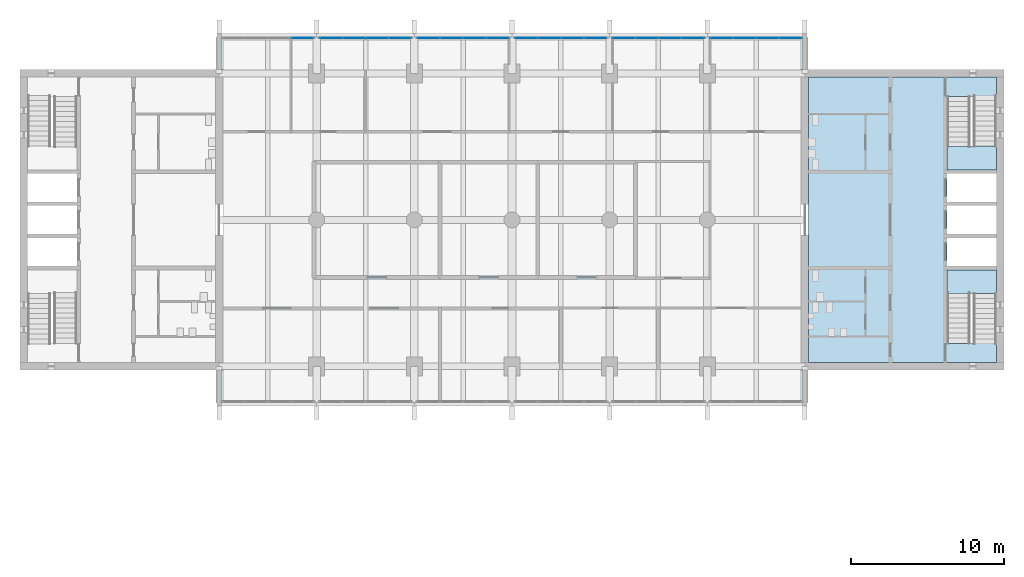
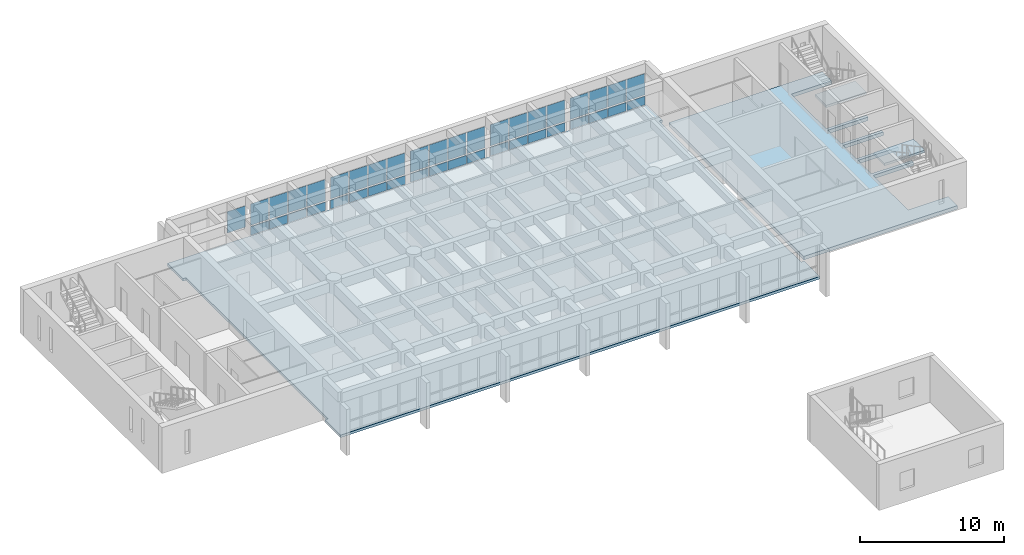
# One storey, part 8 of 19: 41 plates, 4 slabs, 8 elements without a shape of their own.
"""IFC4 building model written with IfcOpenShell, lengths in metres."""

from ifc_helpers import new_model, si_unit, direction, frame, origin, origin_2d, place, context, subcontext, project, spatial, polyline, rectangle, outline, extrude, material, layer, layer_set, type_object, element, aggregate, save


model = new_model("IFC4")

# Units and contexts
model_context = context("Model", 3, precision=1e-05, world=origin(), true_north=direction((0.0, 1.0)))
body_context = subcontext(model_context, "Body", "Model", "MODEL_VIEW")
ifc_project = project(units=[si_unit("LENGTHUNIT", "METRE"), si_unit("AREAUNIT", "SQUARE_METRE"), si_unit("VOLUMEUNIT", "CUBIC_METRE"), si_unit("PLANEANGLEUNIT", "RADIAN"), si_unit("MASSUNIT", "GRAM", prefix="KILO")], contexts=[model_context])

# Site, building, storey
site_placement = place(None, origin())
site = spatial("IfcSite", under=ifc_project, at=site_placement, CompositionType="ELEMENT")
building_placement = place(site_placement, origin())
building = spatial("IfcBuilding", under=site, at=building_placement, Name="Fogon Plaza Fire Station and Headquarters Tower", CompositionType="ELEMENT")
storey_placement = place(building_placement, frame((0.0, 0.0, 21.0)))
storey = spatial("IfcBuildingStorey", under=building, at=storey_placement, Name="L05", CompositionType="ELEMENT", Elevation=21.0)

# Slabs
ifc_material_1 = material(Name="Concrete C40", Category="concrete")
ifc_layer_1 = layer(ifc_material_1, 0.300048828125)
ifc_layer_set_1 = layer_set([ifc_layer_1], Name="Concrete C40")
slab_type_1 = type_object("IfcSlabType", Name="Core Floor Slab RC 300", PredefinedType="FLOOR", material=ifc_layer_set_1)
slab_1_placement = place(storey_placement, frame((0.0, 0.0, -0.300048828125)))
element("IfcSlab", 1, at=slab_1_placement, inside=storey, type_object=slab_type_1, Name="Core B floor", PredefinedType="FLOOR", context=body_context, shape_type="SweptSolid", body=[
    extrude(outline(polyline([(76.550048828125, 35.110107421875), (73.324951171875, 35.110107421875), (73.324951171875, 39.925048828125), (76.550048828125, 39.925048828125), (76.550048828125, 40.175048828125), (73.324951171875, 40.175048828125), (73.324951171875, 42.02490234375), (76.550048828125, 42.02490234375), (76.550048828125, 42.27490234375), (73.324951171875, 42.27490234375), (73.324951171875, 44.125), (76.550048828125, 44.125), (76.550048828125, 44.375), (73.324951171875, 44.375), (73.324951171875, 46.22509765625), (76.550048828125, 46.22509765625), (76.550048828125, 46.47509765625), (73.324951171875, 46.47509765625), (73.324951171875, 51.2900390625), (76.550048828125, 51.2900390625), (76.550048828125, 52.550048828125), (64.25, 52.550048828125), (64.25, 33.85009765625), (76.550048828125, 33.85009765625), (76.550048828125, 35.110107421875)])), origin(), (0.0, 0.0, 1.0), 0.300048828125),
])
ifc_material_2 = material(Name="Concrete C40", Category="concrete")
ifc_layer_2 = layer(ifc_material_2, 0.219970703125)
ifc_layer_set_2 = layer_set([ifc_layer_2], Name="Concrete C40")
slab_type_2 = type_object("IfcSlabType", Name="Floor slab 220 S22", PredefinedType="FLOOR", material=ifc_layer_set_2)
slab_2_placement = place(storey_placement, frame((0.0, 0.0, -0.219970703125)))
element("IfcSlab", 2, at=slab_2_placement, inside=storey, type_object=slab_type_2, Name="slab-L05-bar", PredefinedType="FLOOR", context=body_context, shape_type="SweptSolid", body=[
    extrude(outline(polyline([(64.0, 31.199951171875), (25.60009765625, 31.199951171875), (25.60009765625, 33.35009765625), (25.85009765625, 33.35009765625), (25.85009765625, 53.050048828125), (25.60009765625, 53.050048828125), (25.60009765625, 55.199951171875), (64.0, 55.199951171875), (64.0, 53.050048828125), (63.75, 53.050048828125), (63.75, 33.35009765625), (64.0, 33.35009765625), (64.0, 31.199951171875)])), origin(), (0.0, 0.0, 1.0), 0.219970703125),
])

# Curtain wall, plates
ifc_material_3 = material(Name="Aluminium and glass", Category="aluminium")
ifc_layer_3 = layer(ifc_material_3, 0.14990234375)
ifc_layer_set_3 = layer_set([ifc_layer_3], Name="Aluminium and glass")
curtain_wall_type = type_object("IfcCurtainWallType", Name="Unitised Curtain Wall Run 6100x2880", PredefinedType="NOTDEFINED", material=ifc_layer_set_3)
curtain_wall_1_placement = place(storey_placement, origin())
curtain_wall_1 = element("IfcCurtainWall", 3, at=curtain_wall_1_placement, inside=storey, type_object=curtain_wall_type, Name="CW-6100x2880 N2 L05", PredefinedType="NOTDEFINED")
ifc_material_4 = material(Name="Insulated aluminium spandrel", Category="aluminium")
ifc_layer_4 = layer(ifc_material_4, 0.06005859375)
ifc_layer_set_4 = layer_set([ifc_layer_4], Name="Insulated aluminium spandrel")
plate_type_1 = type_object("IfcPlateType", Name="Insulated Spandrel Panel", PredefinedType="CURTAIN_PANEL", material=ifc_layer_set_4)
plate_1_placement = place(storey_placement, frame((32.93505859375, 55.1201171875, 0.1201171875), z_axis=(0.0, 0.0, 1.0), x_axis=(1.0, 0.0, 0.0)))
plate_1 = element("IfcPlate", 4, at=plate_1_placement, type_object=plate_type_1, Name="SP1 panel 1.1", PredefinedType="CURTAIN_PANEL", context=body_context, shape_type="SweptSolid", body=[
    extrude(rectangle(XDim=1.449951171875, YDim=0.06005859375, at=origin_2d()), origin(), (0.0, 0.0, 1.0), 0.719970703125),
])
plate_2_placement = place(storey_placement, frame((34.445068359375, 55.1201171875, 0.1201171875), z_axis=(0.0, 0.0, 1.0), x_axis=(1.0, 0.0, 0.0)))
plate_2 = element("IfcPlate", 5, at=plate_2_placement, type_object=plate_type_1, Name="SP1 panel 2.1", PredefinedType="CURTAIN_PANEL", context=body_context, shape_type="SweptSolid", body=[
    extrude(rectangle(XDim=1.449951171875, YDim=0.06005859375, at=origin_2d()), origin(), (0.0, 0.0, 1.0), 0.719970703125),
])
plate_3_placement = place(storey_placement, frame((35.955078125, 55.1201171875, 0.1201171875), z_axis=(0.0, 0.0, 1.0), x_axis=(1.0, 0.0, 0.0)))
plate_3 = element("IfcPlate", 6, at=plate_3_placement, type_object=plate_type_1, Name="SP1 panel 3.1", PredefinedType="CURTAIN_PANEL", context=body_context, shape_type="SweptSolid", body=[
    extrude(rectangle(XDim=1.449951171875, YDim=0.06005859375, at=origin_2d()), origin(), (0.0, 0.0, 1.0), 0.719970703125),
])
plate_4_placement = place(storey_placement, frame((37.465087890625, 55.1201171875, 0.1201171875), z_axis=(0.0, 0.0, 1.0), x_axis=(1.0, 0.0, 0.0)))
plate_4 = element("IfcPlate", 7, at=plate_4_placement, type_object=plate_type_1, Name="SP1 panel 4.1", PredefinedType="CURTAIN_PANEL", context=body_context, shape_type="SweptSolid", body=[
    extrude(rectangle(XDim=1.449951171875, YDim=0.06005859375, at=origin_2d()), origin(), (0.0, 0.0, 1.0), 0.719970703125),
])

curtain_wall_2_placement = place(storey_placement, origin())
curtain_wall_2 = element("IfcCurtainWall", 8, at=curtain_wall_2_placement, inside=storey, type_object=curtain_wall_type, Name="CW-6100x2880 N3 L05", PredefinedType="NOTDEFINED")
plate_5_placement = place(storey_placement, frame((39.3349609375, 55.1201171875, 0.1201171875), z_axis=(0.0, 0.0, 1.0), x_axis=(1.0, 0.0, 0.0)))
plate_5 = element("IfcPlate", 9, at=plate_5_placement, type_object=plate_type_1, Name="SP1 panel 1.1", PredefinedType="CURTAIN_PANEL", context=body_context, shape_type="SweptSolid", body=[
    extrude(rectangle(XDim=1.449951171875, YDim=0.06005859375, at=origin_2d()), origin(), (0.0, 0.0, 1.0), 0.719970703125),
])
plate_6_placement = place(storey_placement, frame((40.844970703125, 55.1201171875, 0.1201171875), z_axis=(0.0, 0.0, 1.0), x_axis=(1.0, 0.0, 0.0)))
plate_6 = element("IfcPlate", 10, at=plate_6_placement, type_object=plate_type_1, Name="SP1 panel 2.1", PredefinedType="CURTAIN_PANEL", context=body_context, shape_type="SweptSolid", body=[
    extrude(rectangle(XDim=1.449951171875, YDim=0.06005859375, at=origin_2d()), origin(), (0.0, 0.0, 1.0), 0.719970703125),
])
plate_7_placement = place(storey_placement, frame((42.35498046875, 55.1201171875, 0.1201171875), z_axis=(0.0, 0.0, 1.0), x_axis=(1.0, 0.0, 0.0)))
plate_7 = element("IfcPlate", 11, at=plate_7_placement, type_object=plate_type_1, Name="SP1 panel 3.1", PredefinedType="CURTAIN_PANEL", context=body_context, shape_type="SweptSolid", body=[
    extrude(rectangle(XDim=1.449951171875, YDim=0.06005859375, at=origin_2d()), origin(), (0.0, 0.0, 1.0), 0.719970703125),
])
plate_8_placement = place(storey_placement, frame((43.864990234375, 55.1201171875, 0.1201171875), z_axis=(0.0, 0.0, 1.0), x_axis=(1.0, 0.0, 0.0)))
plate_8 = element("IfcPlate", 12, at=plate_8_placement, type_object=plate_type_1, Name="SP1 panel 4.1", PredefinedType="CURTAIN_PANEL", context=body_context, shape_type="SweptSolid", body=[
    extrude(rectangle(XDim=1.449951171875, YDim=0.06005859375, at=origin_2d()), origin(), (0.0, 0.0, 1.0), 0.719970703125),
])

curtain_wall_3_placement = place(storey_placement, origin())
curtain_wall_3 = element("IfcCurtainWall", 13, at=curtain_wall_3_placement, inside=storey, type_object=curtain_wall_type, Name="CW-6100x2880 N4 L05", PredefinedType="NOTDEFINED")
plate_9_placement = place(storey_placement, frame((45.735107421875, 55.1201171875, 0.1201171875), z_axis=(0.0, 0.0, 1.0), x_axis=(1.0, 0.0, 0.0)))
plate_9 = element("IfcPlate", 14, at=plate_9_placement, type_object=plate_type_1, Name="SP1 panel 1.1", PredefinedType="CURTAIN_PANEL", context=body_context, shape_type="SweptSolid", body=[
    extrude(rectangle(XDim=1.449951171875, YDim=0.06005859375, at=origin_2d()), origin(), (0.0, 0.0, 1.0), 0.719970703125),
])
plate_10_placement = place(storey_placement, frame((47.2451171875, 55.1201171875, 0.1201171875), z_axis=(0.0, 0.0, 1.0), x_axis=(1.0, 0.0, 0.0)))
plate_10 = element("IfcPlate", 15, at=plate_10_placement, type_object=plate_type_1, Name="SP1 panel 2.1", PredefinedType="CURTAIN_PANEL", context=body_context, shape_type="SweptSolid", body=[
    extrude(rectangle(XDim=1.449951171875, YDim=0.06005859375, at=origin_2d()), origin(), (0.0, 0.0, 1.0), 0.719970703125),
])
plate_11_placement = place(storey_placement, frame((48.7548828125, 55.1201171875, 0.1201171875), z_axis=(0.0, 0.0, 1.0), x_axis=(1.0, 0.0, 0.0)))
plate_11 = element("IfcPlate", 16, at=plate_11_placement, type_object=plate_type_1, Name="SP1 panel 3.1", PredefinedType="CURTAIN_PANEL", context=body_context, shape_type="SweptSolid", body=[
    extrude(rectangle(XDim=1.449951171875, YDim=0.06005859375, at=origin_2d()), origin(), (0.0, 0.0, 1.0), 0.719970703125),
])
plate_12_placement = place(storey_placement, frame((50.264892578125, 55.1201171875, 0.1201171875), z_axis=(0.0, 0.0, 1.0), x_axis=(1.0, 0.0, 0.0)))
plate_12 = element("IfcPlate", 17, at=plate_12_placement, type_object=plate_type_1, Name="SP1 panel 4.1", PredefinedType="CURTAIN_PANEL", context=body_context, shape_type="SweptSolid", body=[
    extrude(rectangle(XDim=1.449951171875, YDim=0.06005859375, at=origin_2d()), origin(), (0.0, 0.0, 1.0), 0.719970703125),
])

curtain_wall_4_placement = place(storey_placement, origin())
curtain_wall_4 = element("IfcCurtainWall", 18, at=curtain_wall_4_placement, inside=storey, type_object=curtain_wall_type, Name="CW-6100x2880 N5 L05", PredefinedType="NOTDEFINED")
plate_13_placement = place(storey_placement, frame((52.135009765625, 55.1201171875, 0.1201171875), z_axis=(0.0, 0.0, 1.0), x_axis=(1.0, 0.0, 0.0)))
plate_13 = element("IfcPlate", 19, at=plate_13_placement, type_object=plate_type_1, Name="SP1 panel 1.1", PredefinedType="CURTAIN_PANEL", context=body_context, shape_type="SweptSolid", body=[
    extrude(rectangle(XDim=1.449951171875, YDim=0.06005859375, at=origin_2d()), origin(), (0.0, 0.0, 1.0), 0.719970703125),
])
plate_14_placement = place(storey_placement, frame((53.64501953125, 55.1201171875, 0.1201171875), z_axis=(0.0, 0.0, 1.0), x_axis=(1.0, 0.0, 0.0)))
plate_14 = element("IfcPlate", 20, at=plate_14_placement, type_object=plate_type_1, Name="SP1 panel 2.1", PredefinedType="CURTAIN_PANEL", context=body_context, shape_type="SweptSolid", body=[
    extrude(rectangle(XDim=1.449951171875, YDim=0.06005859375, at=origin_2d()), origin(), (0.0, 0.0, 1.0), 0.719970703125),
])
plate_15_placement = place(storey_placement, frame((55.155029296875, 55.1201171875, 0.1201171875), z_axis=(0.0, 0.0, 1.0), x_axis=(1.0, 0.0, 0.0)))
plate_15 = element("IfcPlate", 21, at=plate_15_placement, type_object=plate_type_1, Name="SP1 panel 3.1", PredefinedType="CURTAIN_PANEL", context=body_context, shape_type="SweptSolid", body=[
    extrude(rectangle(XDim=1.449951171875, YDim=0.06005859375, at=origin_2d()), origin(), (0.0, 0.0, 1.0), 0.719970703125),
])
plate_16_placement = place(storey_placement, frame((56.6650390625, 55.1201171875, 0.1201171875), z_axis=(0.0, 0.0, 1.0), x_axis=(1.0, 0.0, 0.0)))
plate_16 = element("IfcPlate", 22, at=plate_16_placement, type_object=plate_type_1, Name="SP1 panel 4.1", PredefinedType="CURTAIN_PANEL", context=body_context, shape_type="SweptSolid", body=[
    extrude(rectangle(XDim=1.449951171875, YDim=0.06005859375, at=origin_2d()), origin(), (0.0, 0.0, 1.0), 0.719970703125),
])

curtain_wall_5_placement = place(storey_placement, origin())
curtain_wall_5 = element("IfcCurtainWall", 23, at=curtain_wall_5_placement, inside=storey, type_object=curtain_wall_type, Name="CW-6100x2880 N6 L05", PredefinedType="NOTDEFINED")
plate_17_placement = place(storey_placement, frame((58.534912109375, 55.1201171875, 0.1201171875), z_axis=(0.0, 0.0, 1.0), x_axis=(1.0, 0.0, 0.0)))
plate_17 = element("IfcPlate", 24, at=plate_17_placement, type_object=plate_type_1, Name="SP1 panel 1.1", PredefinedType="CURTAIN_PANEL", context=body_context, shape_type="SweptSolid", body=[
    extrude(rectangle(XDim=1.449951171875, YDim=0.06005859375, at=origin_2d()), origin(), (0.0, 0.0, 1.0), 0.719970703125),
])
plate_18_placement = place(storey_placement, frame((60.044921875, 55.1201171875, 0.1201171875), z_axis=(0.0, 0.0, 1.0), x_axis=(1.0, 0.0, 0.0)))
plate_18 = element("IfcPlate", 25, at=plate_18_placement, type_object=plate_type_1, Name="SP1 panel 2.1", PredefinedType="CURTAIN_PANEL", context=body_context, shape_type="SweptSolid", body=[
    extrude(rectangle(XDim=1.449951171875, YDim=0.06005859375, at=origin_2d()), origin(), (0.0, 0.0, 1.0), 0.719970703125),
])
plate_19_placement = place(storey_placement, frame((61.554931640625, 55.1201171875, 0.1201171875), z_axis=(0.0, 0.0, 1.0), x_axis=(1.0, 0.0, 0.0)))
plate_19 = element("IfcPlate", 26, at=plate_19_placement, type_object=plate_type_1, Name="SP1 panel 3.1", PredefinedType="CURTAIN_PANEL", context=body_context, shape_type="SweptSolid", body=[
    extrude(rectangle(XDim=1.449951171875, YDim=0.06005859375, at=origin_2d()), origin(), (0.0, 0.0, 1.0), 0.719970703125),
])
plate_20_placement = place(storey_placement, frame((63.06494140625, 55.1201171875, 0.1201171875), z_axis=(0.0, 0.0, 1.0), x_axis=(1.0, 0.0, 0.0)))
plate_20 = element("IfcPlate", 27, at=plate_20_placement, type_object=plate_type_1, Name="SP1 panel 4.1", PredefinedType="CURTAIN_PANEL", context=body_context, shape_type="SweptSolid", body=[
    extrude(rectangle(XDim=1.449951171875, YDim=0.06005859375, at=origin_2d()), origin(), (0.0, 0.0, 1.0), 0.719970703125),
])

# Stair, slab
ifc_material_5 = material(Name="Concrete C40", Category="concrete")
stair_type = type_object("IfcStairType", Name="Exit Stair Two Flights", PredefinedType="TWO_STRAIGHT_RUN_STAIR", material=ifc_material_5)
stair_1_placement = place(storey_placement, origin())
stair_1 = element("IfcStair", 28, at=stair_1_placement, inside=storey, type_object=stair_type, Name="Stair ST3", PredefinedType="TWO_STRAIGHT_RUN_STAIR")
ifc_material_6 = material(Name="Concrete C40", Category="concrete")
ifc_layer_5 = layer(ifc_material_6, 0.300048828125)
ifc_layer_set_5 = layer_set([ifc_layer_5], Name="Concrete C40")
slab_type_3 = type_object("IfcSlabType", Name="Stair Landing RC 300", PredefinedType="LANDING", material=ifc_layer_set_5)
slab_3_placement = place(storey_placement, frame((0.0, 0.0, 1.75)))
slab_3 = element("IfcSlab", 29, at=slab_3_placement, type_object=slab_type_3, Name="ST3 landing L07", PredefinedType="LANDING", context=body_context, shape_type="SweptSolid", body=[
    extrude(outline(polyline([(73.324951171875, 38.375), (76.550048828125, 38.375), (76.550048828125, 39.925048828125), (73.324951171875, 39.925048828125), (73.324951171875, 38.375)])), origin(), (0.0, 0.0, 1.0), 0.199951171875),
])
aggregate(stair_1, [slab_3])

stair_2_placement = place(storey_placement, origin())
stair_2 = element("IfcStair", 30, at=stair_2_placement, inside=storey, type_object=stair_type, Name="Stair ST4", PredefinedType="TWO_STRAIGHT_RUN_STAIR")
slab_4_placement = place(storey_placement, frame((0.0, 0.0, 1.75)))
slab_4 = element("IfcSlab", 31, at=slab_4_placement, type_object=slab_type_3, Name="ST4 landing L07", PredefinedType="LANDING", context=body_context, shape_type="SweptSolid", body=[
    extrude(outline(polyline([(73.324951171875, 46.47509765625), (76.550048828125, 46.47509765625), (76.550048828125, 48.02490234375), (73.324951171875, 48.02490234375), (73.324951171875, 46.47509765625)])), origin(), (0.0, 0.0, 1.0), 0.199951171875),
])
aggregate(stair_2, [slab_4])

# Curtain wall, plate
curtain_wall_6_placement = place(storey_placement, origin())
curtain_wall_6 = element("IfcCurtainWall", 32, at=curtain_wall_6_placement, inside=storey, type_object=curtain_wall_type, Name="CW-6100x2880 N1 L05", PredefinedType="NOTDEFINED")
ifc_material_7 = material(Name="Low-e double glazing", Category="glass")
ifc_layer_6 = layer(ifc_material_7, 0.028076171875)
ifc_layer_set_6 = layer_set([ifc_layer_6], Name="Low-e double glazing")
plate_type_2 = type_object("IfcPlateType", Name="Vision Glass Panel 1450x1800", PredefinedType="CURTAIN_PANEL", material=ifc_layer_set_6)
plate_21_placement = place(storey_placement, frame((31.06494140625, 55.1201171875, 0.9599609375), z_axis=(0.0, 0.0, 1.0), x_axis=(1.0, 0.0, 0.0)))
plate_21 = element("IfcPlate", 33, at=plate_21_placement, type_object=plate_type_2, Name="VG-1450x1800 panel 4.2", PredefinedType="CURTAIN_PANEL", context=body_context, shape_type="SweptSolid", body=[
    extrude(rectangle(XDim=1.449951171875, YDim=0.028076171875, at=origin_2d()), origin(), (0.0, 0.0, 1.0), 1.800048828125),
])
aggregate(curtain_wall_6, [plate_21])

# Plate
plate_22_placement = place(storey_placement, frame((32.93505859375, 55.1201171875, 0.9599609375), z_axis=(0.0, 0.0, 1.0), x_axis=(1.0, 0.0, 0.0)))
plate_22 = element("IfcPlate", 34, at=plate_22_placement, type_object=plate_type_2, Name="VG-1450x1800 panel 1.2", PredefinedType="CURTAIN_PANEL", context=body_context, shape_type="SweptSolid", body=[
    extrude(rectangle(XDim=1.449951171875, YDim=0.028076171875, at=origin_2d()), origin(), (0.0, 0.0, 1.0), 1.800048828125),
])

plate_23_placement = place(storey_placement, frame((34.445068359375, 55.1201171875, 0.9599609375), z_axis=(0.0, 0.0, 1.0), x_axis=(1.0, 0.0, 0.0)))
plate_23 = element("IfcPlate", 35, at=plate_23_placement, type_object=plate_type_2, Name="VG-1450x1800 panel 2.2", PredefinedType="CURTAIN_PANEL", context=body_context, shape_type="SweptSolid", body=[
    extrude(rectangle(XDim=1.449951171875, YDim=0.028076171875, at=origin_2d()), origin(), (0.0, 0.0, 1.0), 1.800048828125),
])

plate_24_placement = place(storey_placement, frame((35.955078125, 55.1201171875, 0.9599609375), z_axis=(0.0, 0.0, 1.0), x_axis=(1.0, 0.0, 0.0)))
plate_24 = element("IfcPlate", 36, at=plate_24_placement, type_object=plate_type_2, Name="VG-1450x1800 panel 3.2", PredefinedType="CURTAIN_PANEL", context=body_context, shape_type="SweptSolid", body=[
    extrude(rectangle(XDim=1.449951171875, YDim=0.028076171875, at=origin_2d()), origin(), (0.0, 0.0, 1.0), 1.800048828125),
])

plate_25_placement = place(storey_placement, frame((37.465087890625, 55.1201171875, 0.9599609375), z_axis=(0.0, 0.0, 1.0), x_axis=(1.0, 0.0, 0.0)))
plate_25 = element("IfcPlate", 37, at=plate_25_placement, type_object=plate_type_2, Name="VG-1450x1800 panel 4.2", PredefinedType="CURTAIN_PANEL", context=body_context, shape_type="SweptSolid", body=[
    extrude(rectangle(XDim=1.449951171875, YDim=0.028076171875, at=origin_2d()), origin(), (0.0, 0.0, 1.0), 1.800048828125),
])

aggregate(curtain_wall_1, [plate_1, plate_22, plate_2, plate_23, plate_3, plate_24, plate_4, plate_25])

plate_26_placement = place(storey_placement, frame((39.3349609375, 55.1201171875, 0.9599609375), z_axis=(0.0, 0.0, 1.0), x_axis=(1.0, 0.0, 0.0)))
plate_26 = element("IfcPlate", 38, at=plate_26_placement, type_object=plate_type_2, Name="VG-1450x1800 panel 1.2", PredefinedType="CURTAIN_PANEL", context=body_context, shape_type="SweptSolid", body=[
    extrude(rectangle(XDim=1.449951171875, YDim=0.028076171875, at=origin_2d()), origin(), (0.0, 0.0, 1.0), 1.800048828125),
])

plate_27_placement = place(storey_placement, frame((40.844970703125, 55.1201171875, 0.9599609375), z_axis=(0.0, 0.0, 1.0), x_axis=(1.0, 0.0, 0.0)))
plate_27 = element("IfcPlate", 39, at=plate_27_placement, type_object=plate_type_2, Name="VG-1450x1800 panel 2.2", PredefinedType="CURTAIN_PANEL", context=body_context, shape_type="SweptSolid", body=[
    extrude(rectangle(XDim=1.449951171875, YDim=0.028076171875, at=origin_2d()), origin(), (0.0, 0.0, 1.0), 1.800048828125),
])

plate_28_placement = place(storey_placement, frame((42.35498046875, 55.1201171875, 0.9599609375), z_axis=(0.0, 0.0, 1.0), x_axis=(1.0, 0.0, 0.0)))
plate_28 = element("IfcPlate", 40, at=plate_28_placement, type_object=plate_type_2, Name="VG-1450x1800 panel 3.2", PredefinedType="CURTAIN_PANEL", context=body_context, shape_type="SweptSolid", body=[
    extrude(rectangle(XDim=1.449951171875, YDim=0.028076171875, at=origin_2d()), origin(), (0.0, 0.0, 1.0), 1.800048828125),
])

plate_29_placement = place(storey_placement, frame((43.864990234375, 55.1201171875, 0.9599609375), z_axis=(0.0, 0.0, 1.0), x_axis=(1.0, 0.0, 0.0)))
plate_29 = element("IfcPlate", 41, at=plate_29_placement, type_object=plate_type_2, Name="VG-1450x1800 panel 4.2", PredefinedType="CURTAIN_PANEL", context=body_context, shape_type="SweptSolid", body=[
    extrude(rectangle(XDim=1.449951171875, YDim=0.028076171875, at=origin_2d()), origin(), (0.0, 0.0, 1.0), 1.800048828125),
])

aggregate(curtain_wall_2, [plate_5, plate_26, plate_6, plate_27, plate_7, plate_28, plate_8, plate_29])

plate_30_placement = place(storey_placement, frame((45.735107421875, 55.1201171875, 0.9599609375), z_axis=(0.0, 0.0, 1.0), x_axis=(1.0, 0.0, 0.0)))
plate_30 = element("IfcPlate", 42, at=plate_30_placement, type_object=plate_type_2, Name="VG-1450x1800 panel 1.2", PredefinedType="CURTAIN_PANEL", context=body_context, shape_type="SweptSolid", body=[
    extrude(rectangle(XDim=1.449951171875, YDim=0.028076171875, at=origin_2d()), origin(), (0.0, 0.0, 1.0), 1.800048828125),
])

plate_31_placement = place(storey_placement, frame((47.2451171875, 55.1201171875, 0.9599609375), z_axis=(0.0, 0.0, 1.0), x_axis=(1.0, 0.0, 0.0)))
plate_31 = element("IfcPlate", 43, at=plate_31_placement, type_object=plate_type_2, Name="VG-1450x1800 panel 2.2", PredefinedType="CURTAIN_PANEL", context=body_context, shape_type="SweptSolid", body=[
    extrude(rectangle(XDim=1.449951171875, YDim=0.028076171875, at=origin_2d()), origin(), (0.0, 0.0, 1.0), 1.800048828125),
])

plate_32_placement = place(storey_placement, frame((48.7548828125, 55.1201171875, 0.9599609375), z_axis=(0.0, 0.0, 1.0), x_axis=(1.0, 0.0, 0.0)))
plate_32 = element("IfcPlate", 44, at=plate_32_placement, type_object=plate_type_2, Name="VG-1450x1800 panel 3.2", PredefinedType="CURTAIN_PANEL", context=body_context, shape_type="SweptSolid", body=[
    extrude(rectangle(XDim=1.449951171875, YDim=0.028076171875, at=origin_2d()), origin(), (0.0, 0.0, 1.0), 1.800048828125),
])

plate_33_placement = place(storey_placement, frame((50.264892578125, 55.1201171875, 0.9599609375), z_axis=(0.0, 0.0, 1.0), x_axis=(1.0, 0.0, 0.0)))
plate_33 = element("IfcPlate", 45, at=plate_33_placement, type_object=plate_type_2, Name="VG-1450x1800 panel 4.2", PredefinedType="CURTAIN_PANEL", context=body_context, shape_type="SweptSolid", body=[
    extrude(rectangle(XDim=1.449951171875, YDim=0.028076171875, at=origin_2d()), origin(), (0.0, 0.0, 1.0), 1.800048828125),
])

aggregate(curtain_wall_3, [plate_9, plate_30, plate_10, plate_31, plate_11, plate_32, plate_12, plate_33])

plate_34_placement = place(storey_placement, frame((52.135009765625, 55.1201171875, 0.9599609375), z_axis=(0.0, 0.0, 1.0), x_axis=(1.0, 0.0, 0.0)))
plate_34 = element("IfcPlate", 46, at=plate_34_placement, type_object=plate_type_2, Name="VG-1450x1800 panel 1.2", PredefinedType="CURTAIN_PANEL", context=body_context, shape_type="SweptSolid", body=[
    extrude(rectangle(XDim=1.449951171875, YDim=0.028076171875, at=origin_2d()), origin(), (0.0, 0.0, 1.0), 1.800048828125),
])

plate_35_placement = place(storey_placement, frame((53.64501953125, 55.1201171875, 0.9599609375), z_axis=(0.0, 0.0, 1.0), x_axis=(1.0, 0.0, 0.0)))
plate_35 = element("IfcPlate", 47, at=plate_35_placement, type_object=plate_type_2, Name="VG-1450x1800 panel 2.2", PredefinedType="CURTAIN_PANEL", context=body_context, shape_type="SweptSolid", body=[
    extrude(rectangle(XDim=1.449951171875, YDim=0.028076171875, at=origin_2d()), origin(), (0.0, 0.0, 1.0), 1.800048828125),
])

plate_36_placement = place(storey_placement, frame((55.155029296875, 55.1201171875, 0.9599609375), z_axis=(0.0, 0.0, 1.0), x_axis=(1.0, 0.0, 0.0)))
plate_36 = element("IfcPlate", 48, at=plate_36_placement, type_object=plate_type_2, Name="VG-1450x1800 panel 3.2", PredefinedType="CURTAIN_PANEL", context=body_context, shape_type="SweptSolid", body=[
    extrude(rectangle(XDim=1.449951171875, YDim=0.028076171875, at=origin_2d()), origin(), (0.0, 0.0, 1.0), 1.800048828125),
])

plate_37_placement = place(storey_placement, frame((56.6650390625, 55.1201171875, 0.9599609375), z_axis=(0.0, 0.0, 1.0), x_axis=(1.0, 0.0, 0.0)))
plate_37 = element("IfcPlate", 49, at=plate_37_placement, type_object=plate_type_2, Name="VG-1450x1800 panel 4.2", PredefinedType="CURTAIN_PANEL", context=body_context, shape_type="SweptSolid", body=[
    extrude(rectangle(XDim=1.449951171875, YDim=0.028076171875, at=origin_2d()), origin(), (0.0, 0.0, 1.0), 1.800048828125),
])

aggregate(curtain_wall_4, [plate_13, plate_34, plate_14, plate_35, plate_15, plate_36, plate_16, plate_37])

plate_38_placement = place(storey_placement, frame((58.534912109375, 55.1201171875, 0.9599609375), z_axis=(0.0, 0.0, 1.0), x_axis=(1.0, 0.0, 0.0)))
plate_38 = element("IfcPlate", 50, at=plate_38_placement, type_object=plate_type_2, Name="VG-1450x1800 panel 1.2", PredefinedType="CURTAIN_PANEL", context=body_context, shape_type="SweptSolid", body=[
    extrude(rectangle(XDim=1.449951171875, YDim=0.028076171875, at=origin_2d()), origin(), (0.0, 0.0, 1.0), 1.800048828125),
])

plate_39_placement = place(storey_placement, frame((60.044921875, 55.1201171875, 0.9599609375), z_axis=(0.0, 0.0, 1.0), x_axis=(1.0, 0.0, 0.0)))
plate_39 = element("IfcPlate", 51, at=plate_39_placement, type_object=plate_type_2, Name="VG-1450x1800 panel 2.2", PredefinedType="CURTAIN_PANEL", context=body_context, shape_type="SweptSolid", body=[
    extrude(rectangle(XDim=1.449951171875, YDim=0.028076171875, at=origin_2d()), origin(), (0.0, 0.0, 1.0), 1.800048828125),
])

plate_40_placement = place(storey_placement, frame((61.554931640625, 55.1201171875, 0.9599609375), z_axis=(0.0, 0.0, 1.0), x_axis=(1.0, 0.0, 0.0)))
plate_40 = element("IfcPlate", 52, at=plate_40_placement, type_object=plate_type_2, Name="VG-1450x1800 panel 3.2", PredefinedType="CURTAIN_PANEL", context=body_context, shape_type="SweptSolid", body=[
    extrude(rectangle(XDim=1.449951171875, YDim=0.028076171875, at=origin_2d()), origin(), (0.0, 0.0, 1.0), 1.800048828125),
])

plate_41_placement = place(storey_placement, frame((63.06494140625, 55.1201171875, 0.9599609375), z_axis=(0.0, 0.0, 1.0), x_axis=(1.0, 0.0, 0.0)))
plate_41 = element("IfcPlate", 53, at=plate_41_placement, type_object=plate_type_2, Name="VG-1450x1800 panel 4.2", PredefinedType="CURTAIN_PANEL", context=body_context, shape_type="SweptSolid", body=[
    extrude(rectangle(XDim=1.449951171875, YDim=0.028076171875, at=origin_2d()), origin(), (0.0, 0.0, 1.0), 1.800048828125),
])

aggregate(curtain_wall_5, [plate_17, plate_38, plate_18, plate_39, plate_19, plate_40, plate_20, plate_41])

save(model, "model.ifc")
